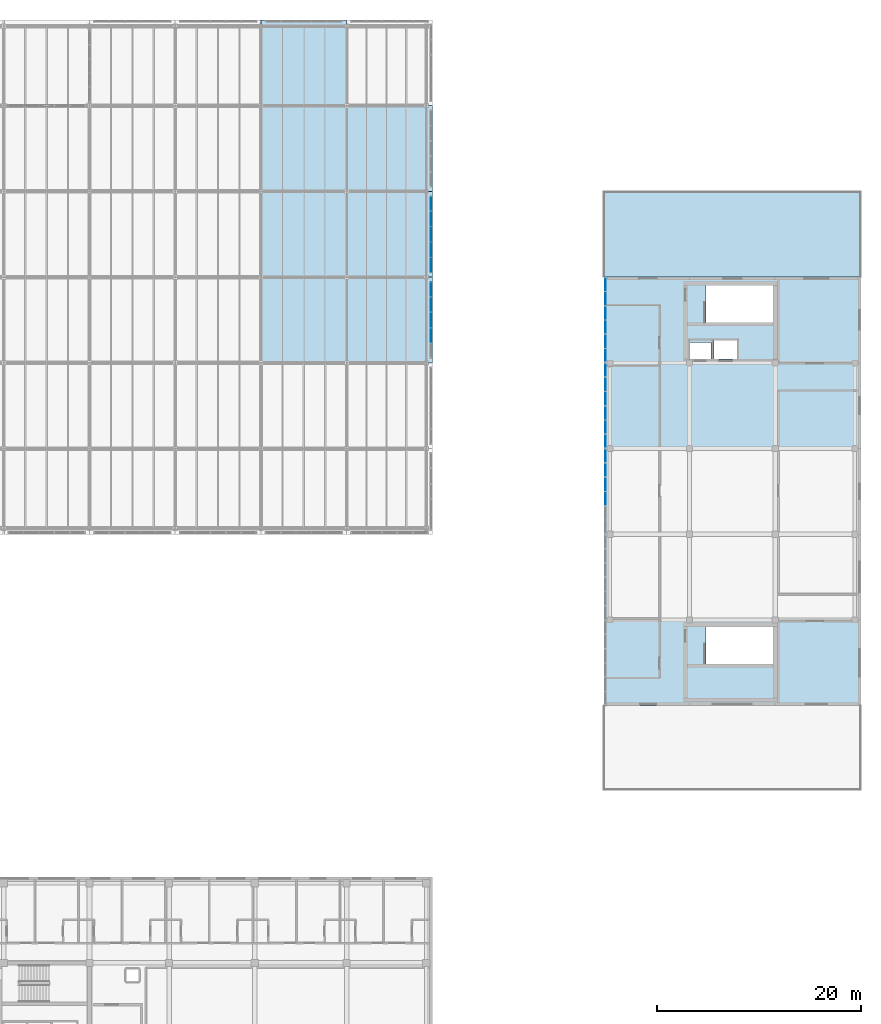
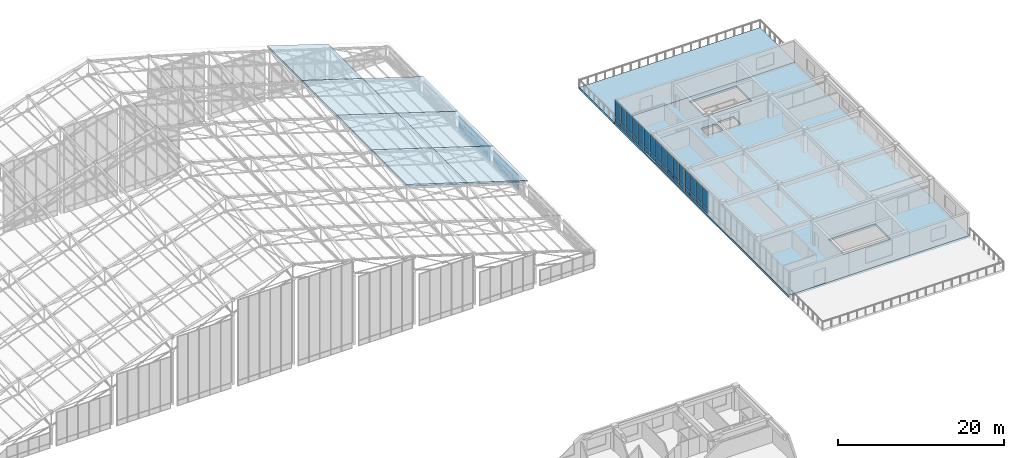
# One storey, part 111 of 144: 50 plates, 9 slabs, 5 elements without a shape of their own.
"""IFC4 building model written with IfcOpenShell, lengths in metres."""

from ifc_helpers import new_model, si_unit, direction, frame, origin, origin_2d, place, context, subcontext, project, spatial, polyline, rectangle, outline, extrude, material, layer, layer_set, type_object, element, aggregate, save


model = new_model("IFC4")

# Units and contexts
model_context = context("Model", 3, precision=1e-05, world=origin(), true_north=direction((0.0, 1.0)))
body_context = subcontext(model_context, "Body", "Model", "MODEL_VIEW")
ifc_project = project(units=[si_unit("LENGTHUNIT", "METRE"), si_unit("AREAUNIT", "SQUARE_METRE"), si_unit("VOLUMEUNIT", "CUBIC_METRE"), si_unit("PLANEANGLEUNIT", "RADIAN"), si_unit("MASSUNIT", "GRAM", prefix="KILO")], contexts=[model_context])

# Site, building, storey
site_placement = place(None, origin())
site = spatial("IfcSite", under=ifc_project, at=site_placement, CompositionType="ELEMENT")
building_placement = place(site_placement, origin())
building = spatial("IfcBuilding", under=site, at=building_placement, Name="Zayran Congress Hotel", CompositionType="ELEMENT")
storey_placement = place(building_placement, frame((0.0, 0.0, 19.199951171875)))
storey = spatial("IfcBuildingStorey", under=building, at=storey_placement, Name="L04", CompositionType="ELEMENT", Elevation=19.199951171875)

# Slabs
ifc_material_1 = material(Name="Concrete C32/40", Category="concrete")
ifc_layer_1 = layer(ifc_material_1, 0.280029296875)
ifc_layer_set_1 = layer_set([ifc_layer_1], Name="Concrete C32/40")
slab_type_1 = type_object("IfcSlabType", Name="SL-FL-280", PredefinedType="FLOOR", material=ifc_layer_set_1)
slab_1_placement = place(storey_placement, frame((0.0, 0.0, -0.280029296875)))
element("IfcSlab", 1, at=slab_1_placement, inside=storey, type_object=slab_type_1, Name="SLB-V4-L04-027", PredefinedType="FLOOR", context=body_context, shape_type="SweptSolid", body=[
    extrude(outline(polyline([(109.199951171875, 50.800048828125), (134.39990234375, 50.800048828125), (134.39990234375, 92.800048828125), (109.199951171875, 92.800048828125), (109.199951171875, 50.800048828125)]), holes=[polyline([(119.239990234375, 88.360107421875), (125.800048828125, 88.360107421875), (125.800048828125, 92.0), (119.239990234375, 92.0), (119.239990234375, 88.360107421875)]), polyline([(117.60009765625, 84.800048828125), (119.699951171875, 84.800048828125), (119.699951171875, 86.39990234375), (117.60009765625, 86.39990234375), (117.60009765625, 84.800048828125)]), polyline([(120.0, 84.800048828125), (122.300048828125, 84.800048828125), (122.300048828125, 86.60009765625), (120.0, 86.60009765625), (120.0, 84.800048828125)]), polyline([(119.239990234375, 54.909912109375), (125.800048828125, 54.909912109375), (125.800048828125, 58.550048828125), (119.239990234375, 58.550048828125), (119.239990234375, 54.909912109375)])]), origin(), (0.0, 0.0, 1.0), 0.280029296875),
])
ifc_layer_2 = layer(ifc_material_1, 0.280029296875)
ifc_layer_set_2 = layer_set([ifc_layer_2], Name="Concrete C32/40")
slab_type_2 = type_object("IfcSlabType", Name="SL-TR-280", PredefinedType="FLOOR", material=ifc_layer_set_2)
slab_2_placement = place(storey_placement, frame((0.0, 0.0, -0.280029296875)))
element("IfcSlab", 2, at=slab_2_placement, inside=storey, type_object=slab_type_2, Name="V4 L04 Planted Roof Terrace Slab 2", PredefinedType="FLOOR", context=body_context, shape_type="SweptSolid", body=[
    extrude(outline(polyline([(109.199951171875, 92.800048828125), (134.39990234375, 92.800048828125), (134.39990234375, 101.199951171875), (109.199951171875, 101.199951171875), (109.199951171875, 92.800048828125)])), origin(), (0.0, 0.0, 1.0), 0.280029296875),
])
ifc_layer_3 = layer(ifc_material_1, 0.219970703125)
ifc_layer_set_3 = layer_set([ifc_layer_3], Name="Concrete C32/40")
slab_type_3 = type_object("IfcSlabType", Name="SL-RF-220", PredefinedType="ROOF", material=ifc_layer_set_3)
slab_3_placement = place(storey_placement, frame((75.60009765625, 84.39990234375, 7.699951171875), z_axis=(0.300852777228, 0.0, 0.953670596398), x_axis=(0.953670596398, 0.0, -0.300852777228)))
element("IfcSlab", 3, at=slab_3_placement, inside=storey, type_object=slab_type_3, Name="V1 Vaulted Roof Facet 9-3", PredefinedType="ROOF", context=body_context, shape_type="SweptSolid", body=[
    extrude(outline(polyline([(0.0, 0.0), (8.807970357349557, 0.0), (8.807970357349557, 8.400146484375), (0.0, 8.400146484375), (0.0, 0.0)])), origin(), (0.0, 0.0, -1.0), 0.219970703125),
])
slab_4_placement = place(storey_placement, frame((75.60009765625, 92.800048828125, 7.699951171875), z_axis=(0.300852777228, 0.0, 0.953670596398), x_axis=(0.953670596398, 0.0, -0.300852777228)))
element("IfcSlab", 4, at=slab_4_placement, inside=storey, type_object=slab_type_3, Name="V1 Vaulted Roof Facet 9-4", PredefinedType="ROOF", context=body_context, shape_type="SweptSolid", body=[
    extrude(outline(polyline([(0.0, 0.0), (8.807970357349557, 0.0), (8.807970357349557, 8.39990234375), (0.0, 8.39990234375), (0.0, 0.0)])), origin(), (0.0, 0.0, -1.0), 0.219970703125),
])
slab_5_placement = place(storey_placement, frame((75.60009765625, 101.199951171875, 7.699951171875), z_axis=(0.300852777228, 0.0, 0.953670596398), x_axis=(0.953670596398, 0.0, -0.300852777228)))
element("IfcSlab", 5, at=slab_5_placement, inside=storey, type_object=slab_type_3, Name="V1 Vaulted Roof Facet 9-5", PredefinedType="ROOF", context=body_context, shape_type="SweptSolid", body=[
    extrude(outline(polyline([(0.0, 0.0), (8.807970357349557, 0.0), (8.807970357349557, 8.400146484375), (0.0, 8.400146484375), (0.0, 0.0)])), origin(), (0.0, 0.0, -1.0), 0.219970703125),
])
slab_6_placement = place(storey_placement, frame((75.60009765625, 109.60009765625, 7.699951171875), z_axis=(0.300852777228, 0.0, 0.953670596398), x_axis=(0.953670596398, 0.0, -0.300852777228)))
element("IfcSlab", 6, at=slab_6_placement, inside=storey, type_object=slab_type_3, Name="V1 Vaulted Roof Facet 9-6", PredefinedType="ROOF", context=body_context, shape_type="SweptSolid", body=[
    extrude(outline(polyline([(0.0, 0.0), (8.807970357349557, 0.0), (8.807970357349557, 8.39990234375), (0.0, 8.39990234375), (0.0, 0.0)])), origin(), (0.0, 0.0, -1.0), 0.219970703125),
])
slab_7_placement = place(storey_placement, frame((84.0, 84.39990234375, 5.050048828125), z_axis=(0.300852777228, 0.0, 0.953670596398), x_axis=(0.953670596398, 0.0, -0.300852777228)))
element("IfcSlab", 7, at=slab_7_placement, inside=storey, type_object=slab_type_3, Name="V1 Vaulted Roof Facet 10-3", PredefinedType="ROOF", context=body_context, shape_type="SweptSolid", body=[
    extrude(outline(polyline([(0.0, 0.0), (8.807970357349557, 0.0), (8.807970357349557, 8.400146484375), (0.0, 8.400146484375), (0.0, 0.0)])), origin(), (0.0, 0.0, -1.0), 0.219970703125),
])
slab_8_placement = place(storey_placement, frame((84.0, 92.800048828125, 5.050048828125), z_axis=(0.300852777228, 0.0, 0.953670596398), x_axis=(0.953670596398, 0.0, -0.300852777228)))
element("IfcSlab", 8, at=slab_8_placement, inside=storey, type_object=slab_type_3, Name="V1 Vaulted Roof Facet 10-4", PredefinedType="ROOF", context=body_context, shape_type="SweptSolid", body=[
    extrude(outline(polyline([(0.0, 0.0), (8.807970357349557, 0.0), (8.807970357349557, 8.39990234375), (0.0, 8.39990234375), (0.0, 0.0)])), origin(), (0.0, 0.0, -1.0), 0.219970703125),
])
slab_9_placement = place(storey_placement, frame((84.0, 101.199951171875, 5.050048828125), z_axis=(0.300852777228, 0.0, 0.953670596398), x_axis=(0.953670596398, 0.0, -0.300852777228)))
element("IfcSlab", 9, at=slab_9_placement, inside=storey, type_object=slab_type_3, Name="V1 Vaulted Roof Facet 10-5", PredefinedType="ROOF", context=body_context, shape_type="SweptSolid", body=[
    extrude(outline(polyline([(0.0, 0.0), (8.807970357349557, 0.0), (8.807970357349557, 8.400146484375), (0.0, 8.400146484375), (0.0, 0.0)])), origin(), (0.0, 0.0, -1.0), 0.219970703125),
])

# Curtain wall, plates
ifc_material_2 = material(Name="Anodised aluminium and low-E insulated glass", Category="aluminium")
ifc_layer_4 = layer(ifc_material_2, 0.179931640625)
ifc_layer_set_4 = layer_set([ifc_layer_4], Name="Anodised aluminium and low-E insulated glass")
curtain_wall_type_1 = type_object("IfcCurtainWallType", Name="CW-V4W-L04-CW-52-8395-3360", PredefinedType="USERDEFINED", material=ifc_layer_set_4)
curtain_wall_1_placement = place(storey_placement, origin())
curtain_wall_1 = element("IfcCurtainWall", 10, at=curtain_wall_1_placement, inside=storey, type_object=curtain_wall_type_1, Name="CW-V4W-L04-4", ObjectType="CURTAIN WALL", PredefinedType="USERDEFINED")
ifc_layer_5 = layer(ifc_material_2, 0.028076171875)
ifc_layer_set_5 = layer_set([ifc_layer_5], Name="Anodised aluminium and low-E insulated glass")
plate_type_1 = type_object("IfcPlateType", Name="CWP-GL-1279-2550", PredefinedType="CURTAIN_PANEL", material=ifc_layer_set_5)
plate_1_placement = place(storey_placement, frame((109.35009765625, 92.080322265625, 0.75), z_axis=(0.0, 0.0, 1.0), x_axis=(0.0, 1.0, 0.0)))
plate_1 = element("IfcPlate", 11, at=plate_1_placement, type_object=plate_type_1, Name="CW-52 Glazed Panel 1", PredefinedType="CURTAIN_PANEL", context=body_context, shape_type="SweptSolid", body=[
    extrude(rectangle(XDim=1.279296875, YDim=0.028076171875, at=origin_2d()), origin(), (0.0, 0.0, 1.0), 2.550048828125),
])
plate_2_placement = place(storey_placement, frame((109.35009765625, 90.701416015625, 0.75), z_axis=(0.0, 0.0, 1.0), x_axis=(0.0, 1.0, 0.0)))
plate_2 = element("IfcPlate", 12, at=plate_2_placement, type_object=plate_type_1, Name="CW-52 Glazed Panel 2", PredefinedType="CURTAIN_PANEL", context=body_context, shape_type="SweptSolid", body=[
    extrude(rectangle(XDim=1.319091796875, YDim=0.028076171875, at=origin_2d()), origin(), (0.0, 0.0, 1.0), 2.550048828125),
])
plate_3_placement = place(storey_placement, frame((109.35009765625, 89.302001953125, 0.75), z_axis=(0.0, 0.0, 1.0), x_axis=(0.0, 1.0, 0.0)))
plate_3 = element("IfcPlate", 13, at=plate_3_placement, type_object=plate_type_1, Name="CW-52 Glazed Panel 3", PredefinedType="CURTAIN_PANEL", context=body_context, shape_type="SweptSolid", body=[
    extrude(rectangle(XDim=1.319091796875, YDim=0.028076171875, at=origin_2d()), origin(), (0.0, 0.0, 1.0), 2.550048828125),
])
plate_4_placement = place(storey_placement, frame((109.35009765625, 87.90283203125, 0.75), z_axis=(0.0, 0.0, 1.0), x_axis=(0.0, 1.0, 0.0)))
plate_4 = element("IfcPlate", 14, at=plate_4_placement, type_object=plate_type_1, Name="CW-52 Glazed Panel 4", PredefinedType="CURTAIN_PANEL", context=body_context, shape_type="SweptSolid", body=[
    extrude(rectangle(XDim=1.319091796875, YDim=0.028076171875, at=origin_2d()), origin(), (0.0, 0.0, 1.0), 2.550048828125),
])
plate_5_placement = place(storey_placement, frame((109.35009765625, 86.503662109375, 0.75), z_axis=(0.0, 0.0, 1.0), x_axis=(0.0, 1.0, 0.0)))
plate_5 = element("IfcPlate", 15, at=plate_5_placement, type_object=plate_type_1, Name="CW-52 Glazed Panel 5", PredefinedType="CURTAIN_PANEL", context=body_context, shape_type="SweptSolid", body=[
    extrude(rectangle(XDim=1.319091796875, YDim=0.028076171875, at=origin_2d()), origin(), (0.0, 0.0, 1.0), 2.550048828125),
])
plate_6_placement = place(storey_placement, frame((109.35009765625, 85.12451171875, 0.75), z_axis=(0.0, 0.0, 1.0), x_axis=(0.0, 1.0, 0.0)))
plate_6 = element("IfcPlate", 16, at=plate_6_placement, type_object=plate_type_1, Name="CW-52 Glazed Panel 6", PredefinedType="CURTAIN_PANEL", context=body_context, shape_type="SweptSolid", body=[
    extrude(rectangle(XDim=1.279296875, YDim=0.028076171875, at=origin_2d()), origin(), (0.0, 0.0, 1.0), 2.550048828125),
])
ifc_material_3 = material(Name="Insulated warm bronze aluminium spandrel panel", Category="aluminium")
ifc_layer_6 = layer(ifc_material_3, 0.06005859375)
ifc_layer_set_6 = layer_set([ifc_layer_6], Name="Insulated warm bronze aluminium spandrel panel")
plate_type_2 = type_object("IfcPlateType", Name="CWP-SP-1279-630", PredefinedType="CURTAIN_PANEL", material=ifc_layer_set_6)
plate_7_placement = place(storey_placement, frame((109.35009765625, 92.080322265625, 0.06005859375), z_axis=(0.0, 0.0, 1.0), x_axis=(0.0, 1.0, 0.0)))
plate_7 = element("IfcPlate", 17, at=plate_7_placement, type_object=plate_type_2, Name="CW-52 Spandrel Panel 1", PredefinedType="CURTAIN_PANEL", context=body_context, shape_type="SweptSolid", body=[
    extrude(rectangle(XDim=1.279296875, YDim=0.06005859375, at=origin_2d()), origin(), (0.0, 0.0, 1.0), 0.6298828125),
])
plate_8_placement = place(storey_placement, frame((109.35009765625, 90.701416015625, 0.06005859375), z_axis=(0.0, 0.0, 1.0), x_axis=(0.0, 1.0, 0.0)))
plate_8 = element("IfcPlate", 18, at=plate_8_placement, type_object=plate_type_2, Name="CW-52 Spandrel Panel 2", PredefinedType="CURTAIN_PANEL", context=body_context, shape_type="SweptSolid", body=[
    extrude(rectangle(XDim=1.319091796875, YDim=0.06005859375, at=origin_2d()), origin(), (0.0, 0.0, 1.0), 0.6298828125),
])
plate_9_placement = place(storey_placement, frame((109.35009765625, 89.302001953125, 0.06005859375), z_axis=(0.0, 0.0, 1.0), x_axis=(0.0, 1.0, 0.0)))
plate_9 = element("IfcPlate", 19, at=plate_9_placement, type_object=plate_type_2, Name="CW-52 Spandrel Panel 3", PredefinedType="CURTAIN_PANEL", context=body_context, shape_type="SweptSolid", body=[
    extrude(rectangle(XDim=1.319091796875, YDim=0.06005859375, at=origin_2d()), origin(), (0.0, 0.0, 1.0), 0.6298828125),
])
plate_10_placement = place(storey_placement, frame((109.35009765625, 87.90283203125, 0.06005859375), z_axis=(0.0, 0.0, 1.0), x_axis=(0.0, 1.0, 0.0)))
plate_10 = element("IfcPlate", 20, at=plate_10_placement, type_object=plate_type_2, Name="CW-52 Spandrel Panel 4", PredefinedType="CURTAIN_PANEL", context=body_context, shape_type="SweptSolid", body=[
    extrude(rectangle(XDim=1.319091796875, YDim=0.06005859375, at=origin_2d()), origin(), (0.0, 0.0, 1.0), 0.6298828125),
])
plate_11_placement = place(storey_placement, frame((109.35009765625, 86.503662109375, 0.06005859375), z_axis=(0.0, 0.0, 1.0), x_axis=(0.0, 1.0, 0.0)))
plate_11 = element("IfcPlate", 21, at=plate_11_placement, type_object=plate_type_2, Name="CW-52 Spandrel Panel 5", PredefinedType="CURTAIN_PANEL", context=body_context, shape_type="SweptSolid", body=[
    extrude(rectangle(XDim=1.319091796875, YDim=0.06005859375, at=origin_2d()), origin(), (0.0, 0.0, 1.0), 0.6298828125),
])
plate_12_placement = place(storey_placement, frame((109.35009765625, 85.12451171875, 0.06005859375), z_axis=(0.0, 0.0, 1.0), x_axis=(0.0, 1.0, 0.0)))
plate_12 = element("IfcPlate", 22, at=plate_12_placement, type_object=plate_type_2, Name="CW-52 Spandrel Panel 6", PredefinedType="CURTAIN_PANEL", context=body_context, shape_type="SweptSolid", body=[
    extrude(rectangle(XDim=1.279296875, YDim=0.06005859375, at=origin_2d()), origin(), (0.0, 0.0, 1.0), 0.6298828125),
])
aggregate(curtain_wall_1, [plate_7, plate_1, plate_8, plate_2, plate_9, plate_3, plate_10, plate_4, plate_11, plate_5, plate_12, plate_6])

ifc_layer_7 = layer(ifc_material_2, 0.179931640625)
ifc_layer_set_7 = layer_set([ifc_layer_7], Name="Anodised aluminium and low-E insulated glass")
curtain_wall_type_2 = type_object("IfcCurtainWallType", Name="CW-V4W-L04-CW-53-8390-3360", PredefinedType="USERDEFINED", material=ifc_layer_set_7)
curtain_wall_2_placement = place(storey_placement, origin())
curtain_wall_2 = element("IfcCurtainWall", 23, at=curtain_wall_2_placement, inside=storey, type_object=curtain_wall_type_2, Name="CW-V4W-L04-2", ObjectType="CURTAIN WALL", PredefinedType="USERDEFINED")
ifc_layer_8 = layer(ifc_material_2, 0.028076171875)
ifc_layer_set_8 = layer_set([ifc_layer_8], Name="Anodised aluminium and low-E insulated glass")
plate_type_3 = type_object("IfcPlateType", Name="CWP-GL-1278-2550", PredefinedType="CURTAIN_PANEL", material=ifc_layer_set_8)
plate_13_placement = place(storey_placement, frame((109.35009765625, 75.27587890625, 0.75), z_axis=(0.0, 0.0, 1.0), x_axis=(0.0, 1.0, 0.0)))
plate_13 = element("IfcPlate", 24, at=plate_13_placement, type_object=plate_type_3, Name="CW-53 Glazed Panel 1", PredefinedType="CURTAIN_PANEL", context=body_context, shape_type="SweptSolid", body=[
    extrude(rectangle(XDim=1.2783203125, YDim=0.028076171875, at=origin_2d()), origin(), (0.0, 0.0, 1.0), 2.550048828125),
])
plate_14_placement = place(storey_placement, frame((109.35009765625, 73.8974609375, 0.75), z_axis=(0.0, 0.0, 1.0), x_axis=(0.0, 1.0, 0.0)))
plate_14 = element("IfcPlate", 25, at=plate_14_placement, type_object=plate_type_3, Name="CW-53 Glazed Panel 2", PredefinedType="CURTAIN_PANEL", context=body_context, shape_type="SweptSolid", body=[
    extrude(rectangle(XDim=1.318359375, YDim=0.028076171875, at=origin_2d()), origin(), (0.0, 0.0, 1.0), 2.550048828125),
])
plate_15_placement = place(storey_placement, frame((109.35009765625, 72.499267578125, 0.75), z_axis=(0.0, 0.0, 1.0), x_axis=(0.0, 1.0, 0.0)))
plate_15 = element("IfcPlate", 26, at=plate_15_placement, type_object=plate_type_3, Name="CW-53 Glazed Panel 3", PredefinedType="CURTAIN_PANEL", context=body_context, shape_type="SweptSolid", body=[
    extrude(rectangle(XDim=1.318359375, YDim=0.028076171875, at=origin_2d()), origin(), (0.0, 0.0, 1.0), 2.550048828125),
])
plate_16_placement = place(storey_placement, frame((109.35009765625, 71.100830078125, 0.75), z_axis=(0.0, 0.0, 1.0), x_axis=(0.0, 1.0, 0.0)))
plate_16 = element("IfcPlate", 27, at=plate_16_placement, type_object=plate_type_3, Name="CW-53 Glazed Panel 4", PredefinedType="CURTAIN_PANEL", context=body_context, shape_type="SweptSolid", body=[
    extrude(rectangle(XDim=1.318359375, YDim=0.028076171875, at=origin_2d()), origin(), (0.0, 0.0, 1.0), 2.550048828125),
])

ifc_layer_9 = layer(ifc_material_2, 0.179931640625)
ifc_layer_set_9 = layer_set([ifc_layer_9], Name="Anodised aluminium and low-E insulated glass")
curtain_wall_type_3 = type_object("IfcCurtainWallType", Name="CW-V4W-L04-CW-51-8390-3360", PredefinedType="USERDEFINED", material=ifc_layer_set_9)
curtain_wall_3_placement = place(storey_placement, origin())
curtain_wall_3 = element("IfcCurtainWall", 28, at=curtain_wall_3_placement, inside=storey, type_object=curtain_wall_type_3, Name="CW-V4W-L04-3", ObjectType="CURTAIN WALL", PredefinedType="USERDEFINED")
plate_17_placement = place(storey_placement, frame((109.35009765625, 83.67578125, 0.75), z_axis=(0.0, 0.0, 1.0), x_axis=(0.0, 1.0, 0.0)))
plate_17 = element("IfcPlate", 29, at=plate_17_placement, type_object=plate_type_3, Name="CW-51 Glazed Panel 1", PredefinedType="CURTAIN_PANEL", context=body_context, shape_type="SweptSolid", body=[
    extrude(rectangle(XDim=1.2783203125, YDim=0.028076171875, at=origin_2d()), origin(), (0.0, 0.0, 1.0), 2.550048828125),
])
plate_18_placement = place(storey_placement, frame((109.35009765625, 82.297607421875, 0.75), z_axis=(0.0, 0.0, 1.0), x_axis=(0.0, 1.0, 0.0)))
plate_18 = element("IfcPlate", 30, at=plate_18_placement, type_object=plate_type_3, Name="CW-51 Glazed Panel 2", PredefinedType="CURTAIN_PANEL", context=body_context, shape_type="SweptSolid", body=[
    extrude(rectangle(XDim=1.318359375, YDim=0.028076171875, at=origin_2d()), origin(), (0.0, 0.0, 1.0), 2.550048828125),
])
plate_19_placement = place(storey_placement, frame((109.35009765625, 80.899169921875, 0.75), z_axis=(0.0, 0.0, 1.0), x_axis=(0.0, 1.0, 0.0)))
plate_19 = element("IfcPlate", 31, at=plate_19_placement, type_object=plate_type_3, Name="CW-51 Glazed Panel 3", PredefinedType="CURTAIN_PANEL", context=body_context, shape_type="SweptSolid", body=[
    extrude(rectangle(XDim=1.318359375, YDim=0.028076171875, at=origin_2d()), origin(), (0.0, 0.0, 1.0), 2.550048828125),
])
plate_20_placement = place(storey_placement, frame((109.35009765625, 79.500732421875, 0.75), z_axis=(0.0, 0.0, 1.0), x_axis=(0.0, 1.0, 0.0)))
plate_20 = element("IfcPlate", 32, at=plate_20_placement, type_object=plate_type_3, Name="CW-51 Glazed Panel 4", PredefinedType="CURTAIN_PANEL", context=body_context, shape_type="SweptSolid", body=[
    extrude(rectangle(XDim=1.318359375, YDim=0.028076171875, at=origin_2d()), origin(), (0.0, 0.0, 1.0), 2.550048828125),
])
plate_21_placement = place(storey_placement, frame((109.35009765625, 78.1025390625, 0.75), z_axis=(0.0, 0.0, 1.0), x_axis=(0.0, 1.0, 0.0)))
plate_21 = element("IfcPlate", 33, at=plate_21_placement, type_object=plate_type_3, Name="CW-51 Glazed Panel 5", PredefinedType="CURTAIN_PANEL", context=body_context, shape_type="SweptSolid", body=[
    extrude(rectangle(XDim=1.318359375, YDim=0.028076171875, at=origin_2d()), origin(), (0.0, 0.0, 1.0), 2.550048828125),
])
plate_22_placement = place(storey_placement, frame((109.35009765625, 76.72412109375, 0.75), z_axis=(0.0, 0.0, 1.0), x_axis=(0.0, 1.0, 0.0)))
plate_22 = element("IfcPlate", 34, at=plate_22_placement, type_object=plate_type_3, Name="CW-51 Glazed Panel 6", PredefinedType="CURTAIN_PANEL", context=body_context, shape_type="SweptSolid", body=[
    extrude(rectangle(XDim=1.2783203125, YDim=0.028076171875, at=origin_2d()), origin(), (0.0, 0.0, 1.0), 2.550048828125),
])

# Plate
ifc_layer_10 = layer(ifc_material_3, 0.06005859375)
ifc_layer_set_10 = layer_set([ifc_layer_10], Name="Insulated warm bronze aluminium spandrel panel")
plate_type_4 = type_object("IfcPlateType", Name="CWP-SP-1278-630", PredefinedType="CURTAIN_PANEL", material=ifc_layer_set_10)
plate_23_placement = place(storey_placement, frame((109.35009765625, 75.27587890625, 0.06005859375), z_axis=(0.0, 0.0, 1.0), x_axis=(0.0, 1.0, 0.0)))
plate_23 = element("IfcPlate", 35, at=plate_23_placement, type_object=plate_type_4, Name="CW-53 Spandrel Panel 1", PredefinedType="CURTAIN_PANEL", context=body_context, shape_type="SweptSolid", body=[
    extrude(rectangle(XDim=1.2783203125, YDim=0.06005859375, at=origin_2d()), origin(), (0.0, 0.0, 1.0), 0.6298828125),
])

plate_24_placement = place(storey_placement, frame((109.35009765625, 73.8974609375, 0.06005859375), z_axis=(0.0, 0.0, 1.0), x_axis=(0.0, 1.0, 0.0)))
plate_24 = element("IfcPlate", 36, at=plate_24_placement, type_object=plate_type_4, Name="CW-53 Spandrel Panel 2", PredefinedType="CURTAIN_PANEL", context=body_context, shape_type="SweptSolid", body=[
    extrude(rectangle(XDim=1.318359375, YDim=0.06005859375, at=origin_2d()), origin(), (0.0, 0.0, 1.0), 0.6298828125),
])

plate_25_placement = place(storey_placement, frame((109.35009765625, 72.499267578125, 0.06005859375), z_axis=(0.0, 0.0, 1.0), x_axis=(0.0, 1.0, 0.0)))
plate_25 = element("IfcPlate", 37, at=plate_25_placement, type_object=plate_type_4, Name="CW-53 Spandrel Panel 3", PredefinedType="CURTAIN_PANEL", context=body_context, shape_type="SweptSolid", body=[
    extrude(rectangle(XDim=1.318359375, YDim=0.06005859375, at=origin_2d()), origin(), (0.0, 0.0, 1.0), 0.6298828125),
])

plate_26_placement = place(storey_placement, frame((109.35009765625, 71.100830078125, 0.06005859375), z_axis=(0.0, 0.0, 1.0), x_axis=(0.0, 1.0, 0.0)))
plate_26 = element("IfcPlate", 38, at=plate_26_placement, type_object=plate_type_4, Name="CW-53 Spandrel Panel 4", PredefinedType="CURTAIN_PANEL", context=body_context, shape_type="SweptSolid", body=[
    extrude(rectangle(XDim=1.318359375, YDim=0.06005859375, at=origin_2d()), origin(), (0.0, 0.0, 1.0), 0.6298828125),
])

aggregate(curtain_wall_2, [plate_23, plate_13, plate_24, plate_14, plate_25, plate_15, plate_26, plate_16])

plate_27_placement = place(storey_placement, frame((109.35009765625, 83.67578125, 0.06005859375), z_axis=(0.0, 0.0, 1.0), x_axis=(0.0, 1.0, 0.0)))
plate_27 = element("IfcPlate", 39, at=plate_27_placement, type_object=plate_type_4, Name="CW-51 Spandrel Panel 1", PredefinedType="CURTAIN_PANEL", context=body_context, shape_type="SweptSolid", body=[
    extrude(rectangle(XDim=1.2783203125, YDim=0.06005859375, at=origin_2d()), origin(), (0.0, 0.0, 1.0), 0.6298828125),
])

plate_28_placement = place(storey_placement, frame((109.35009765625, 82.297607421875, 0.06005859375), z_axis=(0.0, 0.0, 1.0), x_axis=(0.0, 1.0, 0.0)))
plate_28 = element("IfcPlate", 40, at=plate_28_placement, type_object=plate_type_4, Name="CW-51 Spandrel Panel 2", PredefinedType="CURTAIN_PANEL", context=body_context, shape_type="SweptSolid", body=[
    extrude(rectangle(XDim=1.318359375, YDim=0.06005859375, at=origin_2d()), origin(), (0.0, 0.0, 1.0), 0.6298828125),
])

plate_29_placement = place(storey_placement, frame((109.35009765625, 80.899169921875, 0.06005859375), z_axis=(0.0, 0.0, 1.0), x_axis=(0.0, 1.0, 0.0)))
plate_29 = element("IfcPlate", 41, at=plate_29_placement, type_object=plate_type_4, Name="CW-51 Spandrel Panel 3", PredefinedType="CURTAIN_PANEL", context=body_context, shape_type="SweptSolid", body=[
    extrude(rectangle(XDim=1.318359375, YDim=0.06005859375, at=origin_2d()), origin(), (0.0, 0.0, 1.0), 0.6298828125),
])

plate_30_placement = place(storey_placement, frame((109.35009765625, 79.500732421875, 0.06005859375), z_axis=(0.0, 0.0, 1.0), x_axis=(0.0, 1.0, 0.0)))
plate_30 = element("IfcPlate", 42, at=plate_30_placement, type_object=plate_type_4, Name="CW-51 Spandrel Panel 4", PredefinedType="CURTAIN_PANEL", context=body_context, shape_type="SweptSolid", body=[
    extrude(rectangle(XDim=1.318359375, YDim=0.06005859375, at=origin_2d()), origin(), (0.0, 0.0, 1.0), 0.6298828125),
])

plate_31_placement = place(storey_placement, frame((109.35009765625, 78.1025390625, 0.06005859375), z_axis=(0.0, 0.0, 1.0), x_axis=(0.0, 1.0, 0.0)))
plate_31 = element("IfcPlate", 43, at=plate_31_placement, type_object=plate_type_4, Name="CW-51 Spandrel Panel 5", PredefinedType="CURTAIN_PANEL", context=body_context, shape_type="SweptSolid", body=[
    extrude(rectangle(XDim=1.318359375, YDim=0.06005859375, at=origin_2d()), origin(), (0.0, 0.0, 1.0), 0.6298828125),
])

plate_32_placement = place(storey_placement, frame((109.35009765625, 76.72412109375, 0.06005859375), z_axis=(0.0, 0.0, 1.0), x_axis=(0.0, 1.0, 0.0)))
plate_32 = element("IfcPlate", 44, at=plate_32_placement, type_object=plate_type_4, Name="CW-51 Spandrel Panel 6", PredefinedType="CURTAIN_PANEL", context=body_context, shape_type="SweptSolid", body=[
    extrude(rectangle(XDim=1.2783203125, YDim=0.06005859375, at=origin_2d()), origin(), (0.0, 0.0, 1.0), 0.6298828125),
])

aggregate(curtain_wall_3, [plate_27, plate_17, plate_28, plate_18, plate_29, plate_19, plate_30, plate_20, plate_31, plate_21, plate_32, plate_22])

# Curtain wall, plates
ifc_layer_11 = layer(ifc_material_2, 0.179931640625)
ifc_layer_set_11 = layer_set([ifc_layer_11], Name="Anodised aluminium and low-E insulated glass")
curtain_wall_type_4 = type_object("IfcCurtainWallType", Name="CW-V1CL-L04-CW-41-7560-2370", PredefinedType="USERDEFINED", material=ifc_layer_set_11)
curtain_wall_4_placement = place(storey_placement, origin())
curtain_wall_4 = element("IfcCurtainWall", 45, at=curtain_wall_4_placement, inside=storey, type_object=curtain_wall_type_4, Name="CW-V1CLE-2", ObjectType="CURTAIN WALL", PredefinedType="USERDEFINED")
ifc_layer_12 = layer(ifc_material_3, 0.06005859375)
ifc_layer_set_12 = layer_set([ifc_layer_12], Name="Insulated warm bronze aluminium spandrel panel")
plate_type_5 = type_object("IfcPlateType", Name="CWP-SP-1392-630", PredefinedType="CURTAIN_PANEL", material=ifc_layer_set_12)
plate_33_placement = place(storey_placement, frame((92.25, 87.087890625, -0.159912109375), z_axis=(0.0, 0.0, 1.0), x_axis=(0.0, 1.0, 0.0)))
plate_33 = element("IfcPlate", 46, at=plate_33_placement, type_object=plate_type_5, Name="CW-41 Spandrel Panel 2", PredefinedType="CURTAIN_PANEL", context=body_context, shape_type="SweptSolid", body=[
    extrude(rectangle(XDim=1.431884765625, YDim=0.06005859375, at=origin_2d()), origin(), (0.0, 0.0, 1.0), 0.6298828125),
])
plate_34_placement = place(storey_placement, frame((92.25, 88.60009765625, -0.159912109375), z_axis=(0.0, 0.0, 1.0), x_axis=(0.0, 1.0, 0.0)))
plate_34 = element("IfcPlate", 47, at=plate_34_placement, type_object=plate_type_5, Name="CW-41 Spandrel Panel 3", PredefinedType="CURTAIN_PANEL", context=body_context, shape_type="SweptSolid", body=[
    extrude(rectangle(XDim=1.431884765625, YDim=0.06005859375, at=origin_2d()), origin(), (0.0, 0.0, 1.0), 0.6298828125),
])
plate_35_placement = place(storey_placement, frame((92.25, 90.112060546875, -0.159912109375), z_axis=(0.0, 0.0, 1.0), x_axis=(0.0, 1.0, 0.0)))
plate_35 = element("IfcPlate", 48, at=plate_35_placement, type_object=plate_type_5, Name="CW-41 Spandrel Panel 4", PredefinedType="CURTAIN_PANEL", context=body_context, shape_type="SweptSolid", body=[
    extrude(rectangle(XDim=1.431884765625, YDim=0.06005859375, at=origin_2d()), origin(), (0.0, 0.0, 1.0), 0.6298828125),
])
plate_36_placement = place(storey_placement, frame((92.25, 91.60400390625, -0.159912109375), z_axis=(0.0, 0.0, 1.0), x_axis=(0.0, 1.0, 0.0)))
plate_36 = element("IfcPlate", 49, at=plate_36_placement, type_object=plate_type_5, Name="CW-41 Spandrel Panel 5", PredefinedType="CURTAIN_PANEL", context=body_context, shape_type="SweptSolid", body=[
    extrude(rectangle(XDim=1.39208984375, YDim=0.06005859375, at=origin_2d()), origin(), (0.0, 0.0, 1.0), 0.6298828125),
])

curtain_wall_5_placement = place(storey_placement, origin())
curtain_wall_5 = element("IfcCurtainWall", 50, at=curtain_wall_5_placement, inside=storey, type_object=curtain_wall_type_4, Name="CW-V1CLE-3", ObjectType="CURTAIN WALL", PredefinedType="USERDEFINED")
plate_37_placement = place(storey_placement, frame((92.25, 93.99609375, -0.159912109375), z_axis=(0.0, 0.0, 1.0), x_axis=(0.0, 1.0, 0.0)))
plate_37 = element("IfcPlate", 51, at=plate_37_placement, type_object=plate_type_5, Name="CW-41 Spandrel Panel 1", PredefinedType="CURTAIN_PANEL", context=body_context, shape_type="SweptSolid", body=[
    extrude(rectangle(XDim=1.39208984375, YDim=0.06005859375, at=origin_2d()), origin(), (0.0, 0.0, 1.0), 0.6298828125),
])
plate_38_placement = place(storey_placement, frame((92.25, 95.488037109375, -0.159912109375), z_axis=(0.0, 0.0, 1.0), x_axis=(0.0, 1.0, 0.0)))
plate_38 = element("IfcPlate", 52, at=plate_38_placement, type_object=plate_type_5, Name="CW-41 Spandrel Panel 2", PredefinedType="CURTAIN_PANEL", context=body_context, shape_type="SweptSolid", body=[
    extrude(rectangle(XDim=1.431884765625, YDim=0.06005859375, at=origin_2d()), origin(), (0.0, 0.0, 1.0), 0.6298828125),
])
plate_39_placement = place(storey_placement, frame((92.25, 97.0, -0.159912109375), z_axis=(0.0, 0.0, 1.0), x_axis=(0.0, 1.0, 0.0)))
plate_39 = element("IfcPlate", 53, at=plate_39_placement, type_object=plate_type_5, Name="CW-41 Spandrel Panel 3", PredefinedType="CURTAIN_PANEL", context=body_context, shape_type="SweptSolid", body=[
    extrude(rectangle(XDim=1.431884765625, YDim=0.06005859375, at=origin_2d()), origin(), (0.0, 0.0, 1.0), 0.6298828125),
])
plate_40_placement = place(storey_placement, frame((92.25, 98.511962890625, -0.159912109375), z_axis=(0.0, 0.0, 1.0), x_axis=(0.0, 1.0, 0.0)))
plate_40 = element("IfcPlate", 54, at=plate_40_placement, type_object=plate_type_5, Name="CW-41 Spandrel Panel 4", PredefinedType="CURTAIN_PANEL", context=body_context, shape_type="SweptSolid", body=[
    extrude(rectangle(XDim=1.431884765625, YDim=0.06005859375, at=origin_2d()), origin(), (0.0, 0.0, 1.0), 0.6298828125),
])
plate_41_placement = place(storey_placement, frame((92.25, 100.00390625, -0.159912109375), z_axis=(0.0, 0.0, 1.0), x_axis=(0.0, 1.0, 0.0)))
plate_41 = element("IfcPlate", 55, at=plate_41_placement, type_object=plate_type_5, Name="CW-41 Spandrel Panel 5", PredefinedType="CURTAIN_PANEL", context=body_context, shape_type="SweptSolid", body=[
    extrude(rectangle(XDim=1.39208984375, YDim=0.06005859375, at=origin_2d()), origin(), (0.0, 0.0, 1.0), 0.6298828125),
])

# Plate
ifc_layer_13 = layer(ifc_material_3, 0.06005859375)
ifc_layer_set_13 = layer_set([ifc_layer_13], Name="Insulated warm bronze aluminium spandrel panel")
plate_type_6 = type_object("IfcPlateType", Name="CWP-SP-1392-1560", PredefinedType="CURTAIN_PANEL", material=ifc_layer_set_13)
plate_42_placement = place(storey_placement, frame((92.25, 87.087890625, 0.530029296875), z_axis=(0.0, 0.0, 1.0), x_axis=(0.0, 1.0, 0.0)))
plate_42 = element("IfcPlate", 56, at=plate_42_placement, type_object=plate_type_6, Name="CW-41 Upper Spandrel Panel 2", PredefinedType="CURTAIN_PANEL", context=body_context, shape_type="SweptSolid", body=[
    extrude(rectangle(XDim=1.431884765625, YDim=0.06005859375, at=origin_2d()), origin(), (0.0, 0.0, 1.0), 1.56005859375),
])

plate_43_placement = place(storey_placement, frame((92.25, 88.60009765625, 0.530029296875), z_axis=(0.0, 0.0, 1.0), x_axis=(0.0, 1.0, 0.0)))
plate_43 = element("IfcPlate", 57, at=plate_43_placement, type_object=plate_type_6, Name="CW-41 Upper Spandrel Panel 3", PredefinedType="CURTAIN_PANEL", context=body_context, shape_type="SweptSolid", body=[
    extrude(rectangle(XDim=1.431884765625, YDim=0.06005859375, at=origin_2d()), origin(), (0.0, 0.0, 1.0), 1.56005859375),
])

plate_44_placement = place(storey_placement, frame((92.25, 90.112060546875, 0.530029296875), z_axis=(0.0, 0.0, 1.0), x_axis=(0.0, 1.0, 0.0)))
plate_44 = element("IfcPlate", 58, at=plate_44_placement, type_object=plate_type_6, Name="CW-41 Upper Spandrel Panel 4", PredefinedType="CURTAIN_PANEL", context=body_context, shape_type="SweptSolid", body=[
    extrude(rectangle(XDim=1.431884765625, YDim=0.06005859375, at=origin_2d()), origin(), (0.0, 0.0, 1.0), 1.56005859375),
])

plate_45_placement = place(storey_placement, frame((92.25, 91.60400390625, 0.530029296875), z_axis=(0.0, 0.0, 1.0), x_axis=(0.0, 1.0, 0.0)))
plate_45 = element("IfcPlate", 59, at=plate_45_placement, type_object=plate_type_6, Name="CW-41 Upper Spandrel Panel 5", PredefinedType="CURTAIN_PANEL", context=body_context, shape_type="SweptSolid", body=[
    extrude(rectangle(XDim=1.39208984375, YDim=0.06005859375, at=origin_2d()), origin(), (0.0, 0.0, 1.0), 1.56005859375),
])

aggregate(curtain_wall_4, [plate_33, plate_42, plate_34, plate_43, plate_35, plate_44, plate_36, plate_45])

plate_46_placement = place(storey_placement, frame((92.25, 93.99609375, 0.530029296875), z_axis=(0.0, 0.0, 1.0), x_axis=(0.0, 1.0, 0.0)))
plate_46 = element("IfcPlate", 60, at=plate_46_placement, type_object=plate_type_6, Name="CW-41 Upper Spandrel Panel 1", PredefinedType="CURTAIN_PANEL", context=body_context, shape_type="SweptSolid", body=[
    extrude(rectangle(XDim=1.39208984375, YDim=0.06005859375, at=origin_2d()), origin(), (0.0, 0.0, 1.0), 1.56005859375),
])

plate_47_placement = place(storey_placement, frame((92.25, 95.488037109375, 0.530029296875), z_axis=(0.0, 0.0, 1.0), x_axis=(0.0, 1.0, 0.0)))
plate_47 = element("IfcPlate", 61, at=plate_47_placement, type_object=plate_type_6, Name="CW-41 Upper Spandrel Panel 2", PredefinedType="CURTAIN_PANEL", context=body_context, shape_type="SweptSolid", body=[
    extrude(rectangle(XDim=1.431884765625, YDim=0.06005859375, at=origin_2d()), origin(), (0.0, 0.0, 1.0), 1.56005859375),
])

plate_48_placement = place(storey_placement, frame((92.25, 97.0, 0.530029296875), z_axis=(0.0, 0.0, 1.0), x_axis=(0.0, 1.0, 0.0)))
plate_48 = element("IfcPlate", 62, at=plate_48_placement, type_object=plate_type_6, Name="CW-41 Upper Spandrel Panel 3", PredefinedType="CURTAIN_PANEL", context=body_context, shape_type="SweptSolid", body=[
    extrude(rectangle(XDim=1.431884765625, YDim=0.06005859375, at=origin_2d()), origin(), (0.0, 0.0, 1.0), 1.56005859375),
])

plate_49_placement = place(storey_placement, frame((92.25, 98.511962890625, 0.530029296875), z_axis=(0.0, 0.0, 1.0), x_axis=(0.0, 1.0, 0.0)))
plate_49 = element("IfcPlate", 63, at=plate_49_placement, type_object=plate_type_6, Name="CW-41 Upper Spandrel Panel 4", PredefinedType="CURTAIN_PANEL", context=body_context, shape_type="SweptSolid", body=[
    extrude(rectangle(XDim=1.431884765625, YDim=0.06005859375, at=origin_2d()), origin(), (0.0, 0.0, 1.0), 1.56005859375),
])

plate_50_placement = place(storey_placement, frame((92.25, 100.00390625, 0.530029296875), z_axis=(0.0, 0.0, 1.0), x_axis=(0.0, 1.0, 0.0)))
plate_50 = element("IfcPlate", 64, at=plate_50_placement, type_object=plate_type_6, Name="CW-41 Upper Spandrel Panel 5", PredefinedType="CURTAIN_PANEL", context=body_context, shape_type="SweptSolid", body=[
    extrude(rectangle(XDim=1.39208984375, YDim=0.06005859375, at=origin_2d()), origin(), (0.0, 0.0, 1.0), 1.56005859375),
])

aggregate(curtain_wall_5, [plate_37, plate_46, plate_38, plate_47, plate_39, plate_48, plate_40, plate_49, plate_41, plate_50])

save(model, "model.ifc")
